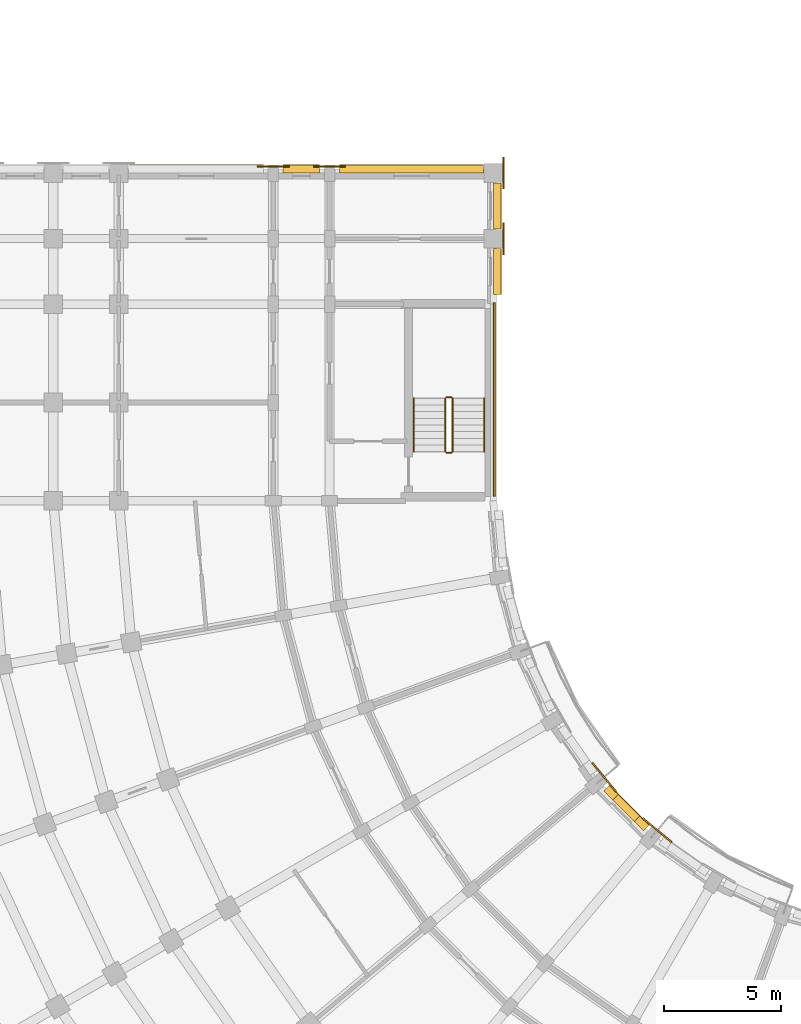
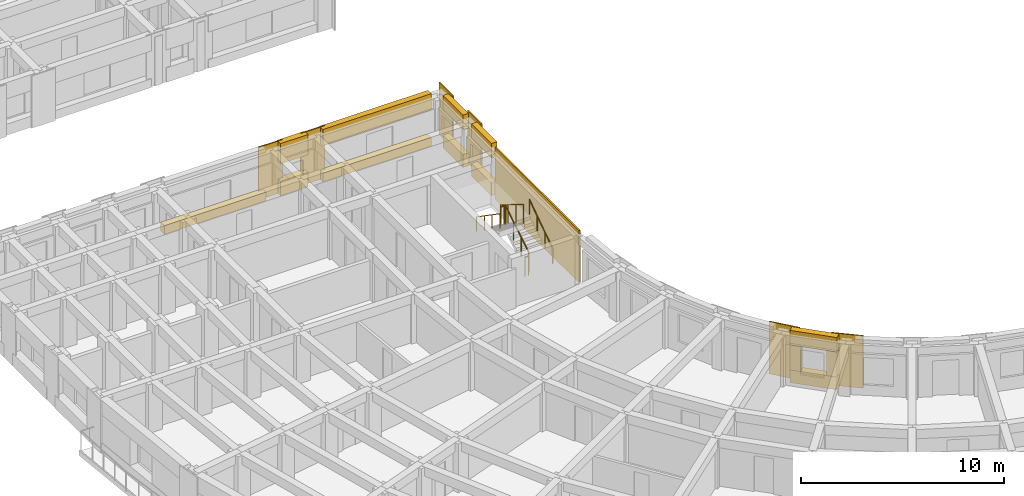
# One storey, part 42 of 54: 20 coverings, 6 railings.
"""IFC4 building model written with IfcOpenShell, lengths in metres."""

from ifc_helpers import new_model, si_unit, direction, frame, origin, origin_2d, place, context, subcontext, project, spatial, polyline, circle, outline, extrude, material, layer, layer_set, type_object, element, save


model = new_model("IFC4")

# Units and contexts
model_context = context("Model", 3, precision=1e-05, world=origin(), true_north=direction((0.0, 1.0)))
body_context = subcontext(model_context, "Body", "Model", "MODEL_VIEW")
ifc_project = project(units=[si_unit("LENGTHUNIT", "METRE"), si_unit("AREAUNIT", "SQUARE_METRE"), si_unit("VOLUMEUNIT", "CUBIC_METRE"), si_unit("PLANEANGLEUNIT", "RADIAN"), si_unit("MASSUNIT", "GRAM", prefix="KILO")], contexts=[model_context])

# Site, building, storey
site_placement = place(None, origin())
site = spatial("IfcSite", under=ifc_project, at=site_placement, CompositionType="ELEMENT")
building_placement = place(site_placement, origin())
building = spatial("IfcBuilding", under=site, at=building_placement, Name="Kiranvali Square Residences", CompositionType="ELEMENT")
storey_placement = place(building_placement, frame((0.0, 0.0, 15.0)))
storey = spatial("IfcBuildingStorey", under=building, at=storey_placement, Name="L04", CompositionType="ELEMENT", Elevation=15.0)

# Coverings
ifc_material_1 = material(Name="Honed Porbandar limestone ashlar facade cladding", Category="masonry")
ifc_layer_1 = layer(ifc_material_1, 0.3798828125)
ifc_layer_set_1 = layer_set([ifc_layer_1], Name="Honed Porbandar limestone ashlar facade cladding")
covering_type_1 = type_object("IfcCoveringType", Name="COV-CLAD-JAMB", PredefinedType="CLADDING", material=ifc_layer_set_1)
covering_1_placement = place(storey_placement, frame((0.0, 0.0, 0.77197265625)))
element("IfcCovering", 1, at=covering_1_placement, inside=storey, type_object=covering_type_1, Name="L04 deep limestone window jamb reveal C-L04-GDN-04.L", PredefinedType="CLADDING", context=body_context, shape_type="SweptSolid", body=[
    extrude(outline(polyline([(36.044921875, 34.349853515625), (35.656982421875, 34.73779296875), (35.4169921875, 34.497802734375), (35.804931640625, 34.10986328125), (36.044921875, 34.349853515625)])), origin(), (0.0, 0.0, 1.0), 1.5),
])
covering_2_placement = place(storey_placement, frame((0.0, 0.0, 0.77197265625)))
element("IfcCovering", 2, at=covering_2_placement, inside=storey, type_object=covering_type_1, Name="L04 deep limestone window jamb reveal C-L04-GDN-04.R", PredefinedType="CLADDING", context=body_context, shape_type="SweptSolid", body=[
    extrude(outline(polyline([(34.73779296875, 35.656982421875), (34.349853515625, 36.044921875), (34.10986328125, 35.804931640625), (34.497802734375, 35.4169921875), (34.73779296875, 35.656982421875)])), origin(), (0.0, 0.0, 1.0), 1.5),
])
ifc_layer_2 = layer(ifc_material_1, 0.06494140625)
ifc_layer_set_2 = layer_set([ifc_layer_2], Name="Honed Porbandar limestone ashlar facade cladding")
covering_type_2 = type_object("IfcCoveringType", Name="COV-CLAD-PIER", PredefinedType="CLADDING", material=ifc_layer_set_2)
covering_3_placement = place(storey_placement, frame((0.0, 0.0, 0.0048828125)))
element("IfcCovering", 3, at=covering_3_placement, inside=storey, type_object=covering_type_2, Name="Block C L04 Arm 2 stair limestone ashlar cladding", PredefinedType="CLADDING", context=body_context, shape_type="SweptSolid", body=[
    extrude(outline(polyline([(29.47998046875, 48.39990234375), (29.47998046875, 56.64990234375), (29.402099609375, 56.64990234375), (29.402099609375, 48.39990234375), (29.47998046875, 48.39990234375)])), origin(), (0.0, 0.0, 1.0), 3.14013671875),
])
ifc_layer_3 = layer(ifc_material_1, 0.050048828125)
ifc_layer_set_3 = layer_set([ifc_layer_3], Name="Honed Porbandar limestone ashlar facade cladding")
covering_type_3 = type_object("IfcCoveringType", Name="COV-CLAD-PIER-IN", PredefinedType="CLADDING", material=ifc_layer_set_3)
covering_4_placement = place(storey_placement, frame((0.0, 0.0, 0.0048828125)))
element("IfcCovering", 4, at=covering_4_placement, inside=storey, type_object=covering_type_3, Name="L04 Classical garden courtyard pilaster CLAD-PRIN-C-L04-A04", PredefinedType="CLADDING", context=body_context, shape_type="SweptSolid", body=[
    extrude(outline(polyline([(37.029296875, 33.642578125), (35.803466796875, 34.671142578125), (35.76025390625, 34.619384765625), (36.98583984375, 33.5908203125), (37.029296875, 33.642578125)])), origin(), (0.0, 0.0, 1.0), 3.14013671875),
])
covering_5_placement = place(storey_placement, frame((0.0, 0.0, 0.0048828125)))
element("IfcCovering", 5, at=covering_5_placement, inside=storey, type_object=covering_type_3, Name="L04 Classical garden courtyard pilaster CLAD-PRIN-C-L04-A05", PredefinedType="CLADDING", context=body_context, shape_type="SweptSolid", body=[
    extrude(outline(polyline([(34.671142578125, 35.803466796875), (33.642578125, 37.029296875), (33.5908203125, 36.98583984375), (34.619384765625, 35.76025390625), (34.671142578125, 35.803466796875)])), origin(), (0.0, 0.0, 1.0), 3.14013671875),
])
covering_6_placement = place(storey_placement, frame((0.0, 0.0, 0.0048828125)))
element("IfcCovering", 6, at=covering_6_placement, inside=storey, type_object=covering_type_3, Name="L04 Classical limestone pilaster casing CLAD-PRA2I-C-L04-V112", PredefinedType="CLADDING", context=body_context, shape_type="SweptSolid", body=[
    extrude(outline(polyline([(29.867919921875, 58.719970703125), (29.867919921875, 60.080078125), (29.800537109375, 60.080078125), (29.800537109375, 58.719970703125), (29.867919921875, 58.719970703125)])), origin(), (0.0, 0.0, 1.0), 3.14013671875),
])
covering_7_placement = place(storey_placement, frame((0.0, 0.0, 0.0048828125)))
element("IfcCovering", 7, at=covering_7_placement, inside=storey, type_object=covering_type_3, Name="L04 Classical limestone pilaster casing CLAD-PRA2I-C-L04-V140", PredefinedType="CLADDING", context=body_context, shape_type="SweptSolid", body=[
    extrude(outline(polyline([(29.867919921875, 61.52001953125), (29.867919921875, 62.8798828125), (29.800537109375, 62.8798828125), (29.800537109375, 61.52001953125), (29.867919921875, 61.52001953125)])), origin(), (0.0, 0.0, 1.0), 3.14013671875),
])
ifc_layer_4 = layer(ifc_material_1, 0.054931640625)
ifc_layer_set_4 = layer_set([ifc_layer_4], Name="Honed Porbandar limestone ashlar facade cladding")
covering_type_4 = type_object("IfcCoveringType", Name="COV-CLAD-PIER-UP", PredefinedType="CLADDING", material=ifc_layer_set_4)
covering_8_placement = place(storey_placement, frame((0.0, 0.0, 0.0048828125)))
element("IfcCovering", 8, at=covering_8_placement, inside=storey, type_object=covering_type_4, Name="L04 Classical limestone pilaster casing CLAD-PRA2E-C-L04-R258", PredefinedType="CLADDING", context=body_context, shape_type="SweptSolid", body=[
    extrude(outline(polyline([(23.080078125, 62.51806640625), (21.719970703125, 62.51806640625), (21.719970703125, 62.450439453125), (23.080078125, 62.450439453125), (23.080078125, 62.51806640625)])), origin(), (0.0, 0.0, 1.0), 3.14013671875),
])
covering_9_placement = place(storey_placement, frame((0.0, 0.0, 0.0048828125)))
element("IfcCovering", 9, at=covering_9_placement, inside=storey, type_object=covering_type_4, Name="L04 Classical limestone pilaster casing CLAD-PRA2E-C-L04-R282", PredefinedType="CLADDING", context=body_context, shape_type="SweptSolid", body=[
    extrude(outline(polyline([(20.679931640625, 62.51806640625), (19.320068359375, 62.51806640625), (19.320068359375, 62.450439453125), (20.679931640625, 62.450439453125), (20.679931640625, 62.51806640625)])), origin(), (0.0, 0.0, 1.0), 3.14013671875),
])
ifc_layer_5 = layer(ifc_material_1, 0.360107421875)
ifc_layer_set_5 = layer_set([ifc_layer_5], Name="Honed Porbandar limestone ashlar facade cladding")
covering_type_5 = type_object("IfcCoveringType", Name="COV-CLAD-WALL", PredefinedType="CLADDING", material=ifc_layer_set_5)
covering_10_placement = place(storey_placement, frame((0.0, 0.0, 2.27197265625)))
element("IfcCovering", 10, at=covering_10_placement, inside=storey, type_object=covering_type_5, Name="L04 light limestone spandrel lintel C-L04-GDN-04", PredefinedType="CLADDING", context=body_context, shape_type="SweptSolid", body=[
    extrude(outline(polyline([(36.044921875, 34.349853515625), (34.349853515625, 36.044921875), (34.10986328125, 35.804931640625), (35.804931640625, 34.10986328125), (36.044921875, 34.349853515625)])), origin(), (0.0, 0.0, 1.0), 0.873046875),
])
covering_11_placement = place(storey_placement, frame((0.0, 0.0, 2.27197265625)))
element("IfcCovering", 11, at=covering_11_placement, inside=storey, type_object=covering_type_5, Name="L04 light limestone spandrel lintel C-L04-A2I-0", PredefinedType="CLADDING", context=body_context, shape_type="SweptSolid", body=[
    extrude(outline(polyline([(29.719970703125, 57.02001953125), (29.719970703125, 58.97998046875), (29.400390625, 58.97998046875), (29.400390625, 57.02001953125), (29.719970703125, 57.02001953125)])), origin(), (0.0, 0.0, 1.0), 0.873046875),
])
covering_12_placement = place(storey_placement, frame((0.0, 0.0, 0.0048828125)))
element("IfcCovering", 12, at=covering_12_placement, inside=storey, type_object=covering_type_5, Name="L04 limestone window sill apron C-L04-A2I-0", PredefinedType="CLADDING", context=body_context, shape_type="SweptSolid", body=[
    extrude(outline(polyline([(29.75, 57.02001953125), (29.75, 58.97998046875), (29.400390625, 58.97998046875), (29.400390625, 57.02001953125), (29.75, 57.02001953125)])), origin(), (0.0, 0.0, 1.0), 0.76708984375),
])
covering_13_placement = place(storey_placement, frame((0.0, 0.0, 2.27197265625)))
element("IfcCovering", 13, at=covering_13_placement, inside=storey, type_object=covering_type_5, Name="L04 light limestone spandrel lintel C-L04-A2I-1", PredefinedType="CLADDING", context=body_context, shape_type="SweptSolid", body=[
    extrude(outline(polyline([(29.719970703125, 59.820068359375), (29.719970703125, 61.780029296875), (29.400390625, 61.780029296875), (29.400390625, 59.820068359375), (29.719970703125, 59.820068359375)])), origin(), (0.0, 0.0, 1.0), 0.873046875),
])
covering_14_placement = place(storey_placement, frame((0.0, 0.0, 0.0048828125)))
element("IfcCovering", 14, at=covering_14_placement, inside=storey, type_object=covering_type_5, Name="L04 limestone window sill apron C-L04-A2I-1", PredefinedType="CLADDING", context=body_context, shape_type="SweptSolid", body=[
    extrude(outline(polyline([(29.75, 59.820068359375), (29.75, 61.780029296875), (29.400390625, 61.780029296875), (29.400390625, 59.820068359375), (29.75, 59.820068359375)])), origin(), (0.0, 0.0, 1.0), 0.76708984375),
])
covering_15_placement = place(storey_placement, frame((0.0, 0.0, 2.172119140625)))
element("IfcCovering", 15, at=covering_15_placement, inside=storey, type_object=covering_type_5, Name="L04 light limestone spandrel lintel C-L04-A2END-0", PredefinedType="CLADDING", context=body_context, shape_type="SweptSolid", body=[
    extrude(outline(polyline([(28.97998046875, 62.5400390625), (22.820068359375, 62.5400390625), (22.820068359375, 62.200439453125), (28.97998046875, 62.200439453125), (28.97998046875, 62.5400390625)])), origin(), (0.0, 0.0, 1.0), 0.972900390625),
])
covering_16_placement = place(storey_placement, frame((0.0, 0.0, 0.0048828125)))
element("IfcCovering", 16, at=covering_16_placement, inside=storey, type_object=covering_type_5, Name="L04 limestone window sill apron C-L04-A2END-0", PredefinedType="CLADDING", context=body_context, shape_type="SweptSolid", body=[
    extrude(outline(polyline([(28.97998046875, 62.570068359375), (22.820068359375, 62.570068359375), (22.820068359375, 62.200439453125), (28.97998046875, 62.200439453125), (28.97998046875, 62.570068359375)])), origin(), (0.0, 0.0, 1.0), 0.51708984375),
])
covering_17_placement = place(storey_placement, frame((0.0, 0.0, 1.929931640625)))
element("IfcCovering", 17, at=covering_17_placement, inside=storey, type_object=covering_type_5, Name="L04 light limestone spandrel lintel C-L04-A2END-1", PredefinedType="CLADDING", context=body_context, shape_type="SweptSolid", body=[
    extrude(outline(polyline([(21.97998046875, 62.5400390625), (20.419921875, 62.5400390625), (20.419921875, 62.200439453125), (21.97998046875, 62.200439453125), (21.97998046875, 62.5400390625)])), origin(), (0.0, 0.0, 1.0), 1.215087890625),
])
covering_18_placement = place(storey_placement, frame((0.0, 0.0, 0.0048828125)))
element("IfcCovering", 18, at=covering_18_placement, inside=storey, type_object=covering_type_5, Name="L04 limestone window sill apron C-L04-A2END-1", PredefinedType="CLADDING", context=body_context, shape_type="SweptSolid", body=[
    extrude(outline(polyline([(21.97998046875, 62.570068359375), (20.419921875, 62.570068359375), (20.419921875, 62.200439453125), (21.97998046875, 62.200439453125), (21.97998046875, 62.570068359375)])), origin(), (0.0, 0.0, 1.0), 0.875),
])
covering_19_placement = place(storey_placement, frame((0.0, 0.0, 0.0048828125)))
element("IfcCovering", 19, at=covering_19_placement, inside=storey, type_object=covering_type_5, Name="L04 limestone window sill apron C-L04-A2END-2", PredefinedType="CLADDING", context=body_context, shape_type="SweptSolid", body=[
    extrude(outline(polyline([(19.580078125, 62.570068359375), (13.820068359375, 62.570068359375), (13.820068359375, 62.200439453125), (19.580078125, 62.200439453125), (19.580078125, 62.570068359375)])), origin(), (0.0, 0.0, 1.0), 0.51708984375),
])
ifc_layer_6 = layer(ifc_material_1, 0.2900390625)
ifc_layer_set_6 = layer_set([ifc_layer_6], Name="Honed Porbandar limestone ashlar facade cladding")
covering_type_6 = type_object("IfcCoveringType", Name="COV-CLAD-WALL-IN", PredefinedType="CLADDING", material=ifc_layer_set_6)
covering_20_placement = place(storey_placement, frame((0.0, 0.0, 0.0048828125)))
element("IfcCovering", 20, at=covering_20_placement, inside=storey, type_object=covering_type_6, Name="L04 limestone window sill apron C-L04-GDN-04", PredefinedType="CLADDING", context=body_context, shape_type="SweptSolid", body=[
    extrude(outline(polyline([(36.066162109375, 34.37109375), (34.37109375, 36.066162109375), (34.10986328125, 35.804931640625), (35.804931640625, 34.10986328125), (36.066162109375, 34.37109375)])), origin(), (0.0, 0.0, 1.0), 0.76708984375),
])

# Railings
ifc_material_2 = material(Name="Brushed stainless steel tubular handrail", Category="steel")
railing_type_1 = type_object("IfcRailingType", Name="RL-HANDRAIL-900", PredefinedType="HANDRAIL", material=ifc_material_2)
railing_1_placement = place(storey_placement, frame((29.0, 50.300048828125, 0.175048828125)))
element("IfcRailing", 21, at=railing_1_placement, inside=storey, type_object=railing_type_1, Name="L04 ST-C3 stair handrail 1", PredefinedType="HANDRAIL", context=body_context, shape_type="SweptSolid", body=[
    extrude(circle(Radius=0.02392578125, at=origin_2d()), frame((0.0, 0.0, 0.8759765625), z_axis=(0.0, 0.82278801735, 0.568348377763), x_axis=(-1.0, 0.0, 0.0)), (0.0, 0.0, 1.0), 2.77099609375),
    extrude(circle(Radius=0.02099609375, at=origin_2d()), origin(), (0.0, 0.0, 1.0), 0.851806640625),
    extrude(circle(Radius=0.02099609375, at=origin_2d()), frame((0.0, 0.760009765625, 0.52490234375)), (0.0, 0.0, 1.0), 0.851806640625),
    extrude(circle(Radius=0.02099609375, at=origin_2d()), frame((0.0, 1.52001953125, 1.050048828125)), (0.0, 0.0, 1.0), 0.851806640625),
    extrude(circle(Radius=0.02099609375, at=origin_2d()), frame((0.0, 2.280029296875, 1.574951171875)), (0.0, 0.0, 1.0), 0.851806640625),
])
railing_2_placement = place(storey_placement, frame((26.0, 52.580078125, 1.75)))
element("IfcRailing", 22, at=railing_2_placement, inside=storey, type_object=railing_type_1, Name="L04 ST-C3 stair handrail 2", PredefinedType="HANDRAIL", context=body_context, shape_type="SweptSolid", body=[
    extrude(circle(Radius=0.02392578125, at=origin_2d()), frame((0.0, 0.0, 0.8759765625), z_axis=(0.0, -0.82278801735, 0.568348377763), x_axis=(1.0, 0.0, 0.0)), (0.0, 0.0, 1.0), 2.77099609375),
    extrude(circle(Radius=0.02099609375, at=origin_2d()), origin(), (0.0, 0.0, 1.0), 0.851806640625),
    extrude(circle(Radius=0.02099609375, at=origin_2d()), frame((0.0, -0.760009765625, 0.52490234375)), (0.0, 0.0, 1.0), 0.851806640625),
    extrude(circle(Radius=0.02099609375, at=origin_2d()), frame((0.0, -1.52001953125, 1.050048828125)), (0.0, 0.0, 1.0), 0.851806640625),
    extrude(circle(Radius=0.02099609375, at=origin_2d()), frame((0.0, -2.280029296875, 1.574951171875)), (0.0, 0.0, 1.0), 0.851806640625),
])
ifc_material_3 = material(Name="Powder-coated architectural bronze balustrade", Category="steel")
railing_type_2 = type_object("IfcRailingType", Name="RL-ST-GUARD-1200", PredefinedType="GUARDRAIL", material=ifc_material_3)
railing_3_placement = place(storey_placement, frame((27.64990234375, 50.300048828125, 0.175048828125)))
element("IfcRailing", 23, at=railing_3_placement, inside=storey, type_object=railing_type_2, Name="L04 ST-C3 stair guard 1", PredefinedType="GUARDRAIL", context=body_context, shape_type="SweptSolid", body=[
    extrude(circle(Radius=0.02392578125, at=origin_2d()), frame((0.0, 0.0, 1.1259765625), z_axis=(0.0, 0.852190499154, 0.523231643875), x_axis=(-1.0, 0.0, 0.0)), (0.0, 0.0, 1.0), 2.675537109375),
    extrude(circle(Radius=0.02099609375, at=origin_2d()), origin(), (0.0, 0.0, 1.0), 1.101806640625),
    extrude(circle(Radius=0.02099609375, at=origin_2d()), frame((0.0, 0.760009765625, 0.466552734375)), (0.0, 0.0, 1.0), 1.101806640625),
    extrude(circle(Radius=0.02099609375, at=origin_2d()), frame((0.0, 1.52001953125, 0.933349609375)), (0.0, 0.0, 1.0), 1.101806640625),
    extrude(circle(Radius=0.02099609375, at=origin_2d()), frame((0.0, 2.280029296875, 1.39990234375)), (0.0, 0.0, 1.0), 1.101806640625),
])
railing_4_placement = place(storey_placement, frame((27.60009765625, 52.6298828125, 1.574951171875)))
element("IfcRailing", 24, at=railing_4_placement, inside=storey, type_object=railing_type_2, Name="L04 ST-C3 stair guard 2", PredefinedType="GUARDRAIL", context=body_context, shape_type="SweptSolid", body=[
    extrude(circle(Radius=0.02392578125, at=origin_2d()), frame((0.0, 0.0, 1.1259765625), z_axis=(-1.0, 0.0, 0.0), x_axis=(0.0, -1.0, 0.0)), (0.0, 0.0, 1.0), 0.2001953125),
    extrude(circle(Radius=0.02099609375, at=origin_2d()), origin(), (0.0, 0.0, 1.0), 1.101806640625),
    extrude(circle(Radius=0.02099609375, at=origin_2d()), frame((-0.2001953125, 0.0, 0.0)), (0.0, 0.0, 1.0), 1.101806640625),
])
railing_5_placement = place(storey_placement, frame((27.35009765625, 52.580078125, 1.75)))
element("IfcRailing", 25, at=railing_5_placement, inside=storey, type_object=railing_type_2, Name="L04 ST-C3 stair guard 3", PredefinedType="GUARDRAIL", context=body_context, shape_type="SweptSolid", body=[
    extrude(circle(Radius=0.02392578125, at=origin_2d()), frame((0.0, 0.0, 1.1259765625), z_axis=(0.0, -0.852190499154, 0.523231643875), x_axis=(1.0, 0.0, 0.0)), (0.0, 0.0, 1.0), 2.675537109375),
    extrude(circle(Radius=0.02099609375, at=origin_2d()), origin(), (0.0, 0.0, 1.0), 1.101806640625),
    extrude(circle(Radius=0.02099609375, at=origin_2d()), frame((0.0, -0.760009765625, 0.466552734375)), (0.0, 0.0, 1.0), 1.101806640625),
    extrude(circle(Radius=0.02099609375, at=origin_2d()), frame((0.0, -1.52001953125, 0.933349609375)), (0.0, 0.0, 1.0), 1.101806640625),
    extrude(circle(Radius=0.02099609375, at=origin_2d()), frame((0.0, -2.280029296875, 1.39990234375)), (0.0, 0.0, 1.0), 1.101806640625),
])
railing_6_placement = place(storey_placement, frame((27.60009765625, 50.25, 0.0)))
element("IfcRailing", 26, at=railing_6_placement, inside=storey, type_object=railing_type_2, Name="L04 ST-C3 stair guard 4", PredefinedType="GUARDRAIL", context=body_context, shape_type="SweptSolid", body=[
    extrude(circle(Radius=0.02392578125, at=origin_2d()), frame((0.0, 0.0, 1.1259765625), z_axis=(-1.0, 0.0, 0.0), x_axis=(0.0, -1.0, 0.0)), (0.0, 0.0, 1.0), 0.2001953125),
    extrude(circle(Radius=0.02099609375, at=origin_2d()), origin(), (0.0, 0.0, 1.0), 1.101806640625),
    extrude(circle(Radius=0.02099609375, at=origin_2d()), frame((-0.2001953125, 0.0, 0.0)), (0.0, 0.0, 1.0), 1.101806640625),
])

save(model, "model.ifc")
